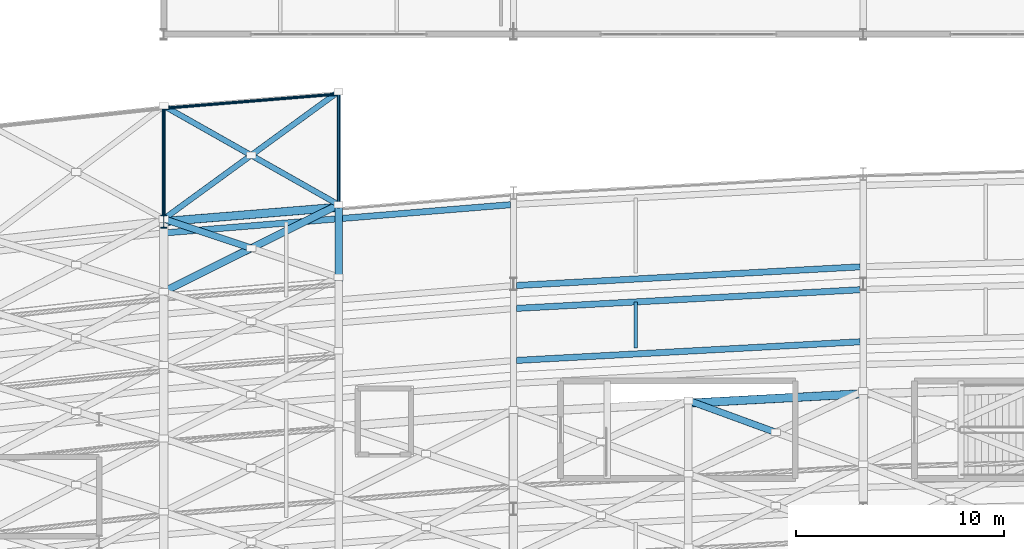
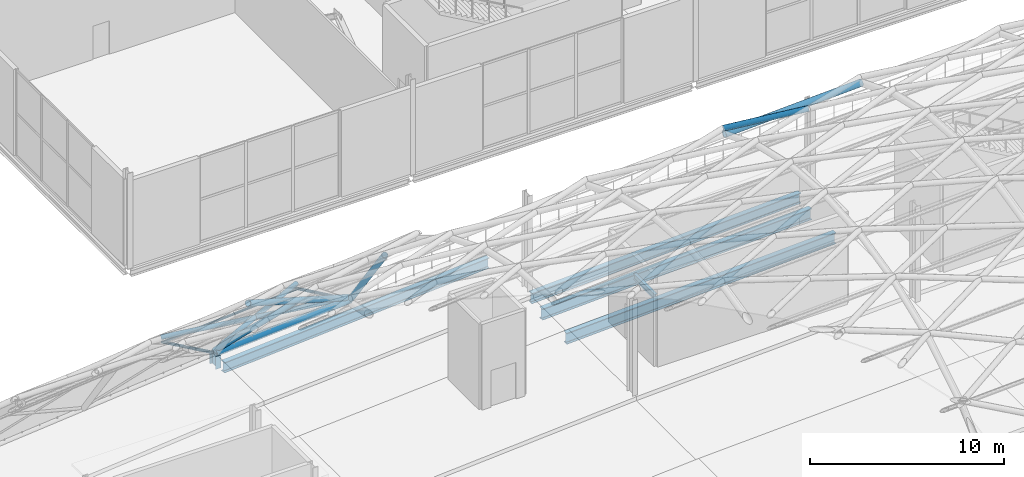
# One storey, part 26 of 100: 13 members, 5 beams.
"""IFC4 building model written with IfcOpenShell, lengths in metres."""

import ifcopenshell
import ifcopenshell.guid

model = None  # the IFC model being written
_history = None  # IfcOwnerHistory: only IFC2X3 demands one
_inside = {}  # id of a spatial element -> (the spatial element, [elements in it])
_under = {}  # id of a project, library or spatial element -> (it, [spatial elements below it])
_declared = {}  # id of a project -> (the project, [libraries it declares])
_typed = {}  # id of a type object -> (the type object, [elements of that type])
_made_of = {}  # id of a material, layer set ... -> (it, [elements and type objects made of it])


def new_model(schema):
    """Start an empty IFC model of exactly this schema.

    Asked for "IFC4X3", IfcOpenShell would pick the latest addendum, in which some entities
    have other attributes; the version numbers below select the first issue.
    IFC2X3 requires an IfcOwnerHistory on every rooted entity: one is made here for all.
    """
    global model, _history
    if schema == "IFC4X3":
        model = ifcopenshell.file(schema_version=(4, 3, 0, 0))
    else:
        model = ifcopenshell.file(schema=schema)
    _inside.clear()
    _under.clear()
    _declared.clear()
    _typed.clear()
    _made_of.clear()
    _history = None
    if model.schema == "IFC2X3":
        org = make("IfcOrganization", Name="unknown")
        user = make(
            "IfcPersonAndOrganization",
            ThePerson=make("IfcPerson", FamilyName="unknown"),
            TheOrganization=org,
        )
        app = make(
            "IfcApplication",
            ApplicationDeveloper=org,
            Version="unknown",
            ApplicationFullName="unknown",
            ApplicationIdentifier="unknown",
        )
        _history = make(
            "IfcOwnerHistory",
            OwningUser=user,
            OwningApplication=app,
            ChangeAction="ADDED",
            CreationDate=0,
        )
    return model


def make(cls, **values):
    """One entity of the class cls with the attributes given. An attribute that is None is left unset."""
    return model.create_entity(
        cls, **{name: value for name, value in values.items() if value is not None}
    )


def rooted(cls, **values):
    """An entity with a GlobalId (a new one), such as an element, a storey or a relation."""
    return make(cls, GlobalId=ifcopenshell.guid.new(), OwnerHistory=_history, **values)


def si_unit(unit_type, name, prefix=None):
    """IfcSIUnit, for example si_unit("LENGTHUNIT", "METRE", prefix="MILLI")."""
    return make("IfcSIUnit", UnitType=unit_type, Prefix=prefix, Name=name)


def assignment(units):
    """IfcUnitAssignment: the units of a project."""
    return None if units is None else make("IfcUnitAssignment", Units=units)


def point(xyz):
    """IfcCartesianPoint."""
    return None if xyz is None else make("IfcCartesianPoint", Coordinates=xyz)


def direction(xyz):
    """IfcDirection."""
    return None if xyz is None else make("IfcDirection", DirectionRatios=xyz)


def frame(location, z_axis=None, x_axis=None):
    """IfcAxis2Placement3D, a coordinate frame: its origin and axes. An axis left out is left unset."""
    return make(
        "IfcAxis2Placement3D",
        Location=point(location),
        Axis=direction(z_axis),
        RefDirection=direction(x_axis),
    )


def frame_2d(location, x_axis=None):
    """IfcAxis2Placement2D, a coordinate frame in the plane: its origin and x axis."""
    return make(
        "IfcAxis2Placement2D", Location=point(location), RefDirection=direction(x_axis)
    )


def origin():
    """The frame at (0, 0, 0) with its axes left unset."""
    return frame((0.0, 0.0, 0.0))


def origin_2d():
    """The frame at (0, 0) in the plane with its x axis left unset."""
    return frame_2d((0.0, 0.0))


def place(relative_to, where):
    """IfcLocalPlacement: puts the frame where relative to a parent placement (None: the world)."""
    return make(
        "IfcLocalPlacement", PlacementRelTo=relative_to, RelativePlacement=where
    )


def context(
    kind, dimensions, precision=None, world=None, true_north=None, identifier=None
):
    """IfcGeometricRepresentationContext, for example the 3D "Model" context."""
    return make(
        "IfcGeometricRepresentationContext",
        ContextIdentifier=identifier,
        ContextType=kind,
        CoordinateSpaceDimension=dimensions,
        Precision=precision,
        WorldCoordinateSystem=world,
        TrueNorth=true_north,
    )


def subcontext(parent, identifier, kind, view, scale=None):
    """IfcGeometricRepresentationSubContext, for example "Body" below "Model"."""
    return make(
        "IfcGeometricRepresentationSubContext",
        ContextIdentifier=identifier,
        ContextType=kind,
        ParentContext=parent,
        TargetScale=scale,
        TargetView=view,
    )


def project(units=None, contexts=None):
    """IfcProject with its units and contexts."""
    return rooted(
        "IfcProject",
        Name="project",
        RepresentationContexts=contexts,
        UnitsInContext=assignment(units),
    )


def spatial(cls, under=None, at=None, **own):
    """A site, building, storey or space (cls), placed at a placement, below another one or the project."""
    s = rooted(cls, ObjectPlacement=at, **own)
    if under is not None:
        _under.setdefault(under.id(), (under, []))[1].append(s)
    return s


def profile(cls, at=None, kind="AREA", **sizes):
    """A parametric profile (cls). Its sizes go by their IFC names, for example OverallWidth=200.0."""
    return make(cls, ProfileType=kind, Position=at, **sizes)


def hollow_circle(**sizes):
    """IfcCircleHollowProfileDef."""
    return profile("IfcCircleHollowProfileDef", **sizes)


def i_section(**sizes):
    """IfcIShapeProfileDef."""
    return profile("IfcIShapeProfileDef", **sizes)


def extrude(swept, where, along, depth):
    """IfcExtrudedAreaSolid: the profile swept, set in the frame where, extruded along a direction by depth."""
    return make(
        "IfcExtrudedAreaSolid",
        SweptArea=swept,
        Position=where,
        ExtrudedDirection=direction(along),
        Depth=depth,
    )


def shape(context_of_items, identifier, shape_type, items):
    """IfcShapeRepresentation: the items that make up one representation, for example the "Body"."""
    return make(
        "IfcShapeRepresentation",
        ContextOfItems=context_of_items,
        RepresentationIdentifier=identifier,
        RepresentationType=shape_type,
        Items=items,
    )


def material(Name=None, Category=None):
    """IfcMaterial."""
    return make("IfcMaterial", Name=Name, Category=Category)


def material_profile(
    of_material, cross_section, Name=None, Category=None, Priority=None
):
    """IfcMaterialProfile: a cross section and its material."""
    return make(
        "IfcMaterialProfile",
        Name=Name,
        Material=of_material,
        Profile=cross_section,
        Priority=Priority,
        Category=Category,
    )


def profile_set(profiles, Name=None, composite=None):
    """IfcMaterialProfileSet."""
    return make(
        "IfcMaterialProfileSet",
        Name=Name,
        MaterialProfiles=profiles,
        CompositeProfile=composite,
    )


def made_of(thing, what):
    """Note that an element or type object is made of a material, layer set ...; save() writes the relation."""
    if what is not None:
        _made_of.setdefault(what.id(), (what, []))[1].append(thing)
    return thing


def type_object(cls, material=None, **own):
    """A type object (cls), such as IfcWallType, which elements share."""
    return made_of(rooted(cls, **own), material)


def element(
    cls,
    number,
    at=None,
    inside=None,
    cuts=None,
    type_object=None,
    material=None,
    context=None,
    identifier="Body",
    shape_type=None,
    held_by="IfcProductDefinitionShape",
    body=None,
    shapes=None,
    **own,
):
    """One element of the class cls, such as IfcWall. Its Tag is "e" and its number.

    at: its placement. inside: the storey or other place that contains it. cuts: it is an
    opening in that element (IfcRelVoidsElement). A single representation is given by context,
    identifier, shape_type and body (its items); several are given by shapes. held_by: the class
    of the entity that holds the representations. save() writes the other relations.
    """
    e = rooted(cls, Tag="e%d" % number, ObjectPlacement=at, **own)
    if body is not None:
        shapes = [shape(context, identifier, shape_type, body)]
    if shapes is not None:
        e.Representation = make(held_by, Representations=shapes)
    if inside is not None:
        _inside.setdefault(inside.id(), (inside, []))[1].append(e)
    if cuts is not None:
        rooted(
            "IfcRelVoidsElement", RelatingBuildingElement=cuts, RelatedOpeningElement=e
        )
    if type_object is not None:
        _typed.setdefault(type_object.id(), (type_object, []))[1].append(e)
    return made_of(e, material)


def aggregate(whole, parts):
    """IfcRelAggregates: a whole, such as a stair, and the parts it consists of."""
    return rooted("IfcRelAggregates", RelatingObject=whole, RelatedObjects=parts)


def save(model, path):
    """Write the relations noted so far, then the file.

    IfcRelAggregates (storeys below a building ...), IfcRelContainedInSpatialStructure (elements
    in a storey), IfcRelDefinesByType, IfcRelAssociatesMaterial and IfcRelDeclares: one each for
    every whole, place, type object, material and project.
    """
    for whole, parts in _under.values():
        aggregate(whole, parts)
    for where, things in _inside.values():
        rooted(
            "IfcRelContainedInSpatialStructure",
            RelatedElements=things,
            RelatingStructure=where,
        )
    for kind, things in _typed.values():
        rooted("IfcRelDefinesByType", RelatedObjects=things, RelatingType=kind)
    for what, things in _made_of.values():
        rooted("IfcRelAssociatesMaterial", RelatedObjects=things, RelatingMaterial=what)
    for by, libraries in _declared.values():
        rooted("IfcRelDeclares", RelatingContext=by, RelatedDefinitions=libraries)
    model.write(path)


model = new_model("IFC4")

# Units and contexts
model_context = context("Model", 3, precision=1e-05, world=origin(), true_north=direction((0.0, 1.0)))
body_context = subcontext(model_context, "Body", "Model", "MODEL_VIEW")
ifc_project = project(units=[si_unit("LENGTHUNIT", "METRE"), si_unit("AREAUNIT", "SQUARE_METRE"), si_unit("VOLUMEUNIT", "CUBIC_METRE"), si_unit("PLANEANGLEUNIT", "RADIAN"), si_unit("MASSUNIT", "GRAM", prefix="KILO")], contexts=[model_context])

# Site, building, storey
site_placement = place(None, origin())
site = spatial("IfcSite", under=ifc_project, at=site_placement, CompositionType="ELEMENT")
building_placement = place(site_placement, origin())
building = spatial("IfcBuilding", under=site, at=building_placement, Name="Kimbaza Rail Terminus", CompositionType="ELEMENT")
storey_placement = place(building_placement, frame((0.0, 0.0, 10.800048828125)))
storey = spatial("IfcBuildingStorey", under=building, at=storey_placement, Name="L02", CompositionType="ELEMENT", Elevation=10.800048828125)

# Beams
ifc_material_1 = material(Name="Steel S355", Category="steel")
ifc_material_profile_1 = material_profile(ifc_material_1, i_section(OverallWidth=0.300048828125, OverallDepth=0.64990234375, WebThickness=0.01611328125, FlangeThickness=0.031005859375, FilletRadius=0.027099609375, at=origin_2d()), Name="HEB 650")
ifc_profile_set_1 = profile_set([ifc_material_profile_1], Name="Steel S355")
beam_type_1 = type_object("IfcBeamType", Name="STR-BM-HEB650", PredefinedType="USERDEFINED", material=ifc_profile_set_1)
beam_1_placement = place(storey_placement, frame((55.344482421875, 93.46728515625, -0.5849609375), z_axis=(0.996690271877, 0.081292693071, 0.0), x_axis=(-0.081292693071, 0.996690271877, 0.0)))
element("IfcBeam", 1, at=beam_1_placement, inside=storey, type_object=beam_type_1, Name="Viaduct Chorded Girder P4 Bay 03", ObjectType="GIRDER", PredefinedType="USERDEFINED", context=body_context, shape_type="SweptSolid", body=[
    extrude(i_section(OverallWidth=0.300048828125, OverallDepth=0.64990234375, WebThickness=0.01611328125, FlangeThickness=0.031005859375, FilletRadius=0.027099609375, at=origin_2d()), origin(), (0.0, 0.0, 1.0), 16.56591796875),
])
beam_2_placement = place(storey_placement, frame((72.144775390625, 90.93359375, -0.5849609375), z_axis=(0.998529923153, 0.054203252368, 0.0), x_axis=(-0.054203252368, 0.998529923153, 0.0)))
element("IfcBeam", 2, at=beam_2_placement, inside=storey, type_object=beam_type_1, Name="Viaduct Chorded Girder P4 Bay 04", ObjectType="GIRDER", PredefinedType="USERDEFINED", context=body_context, shape_type="SweptSolid", body=[
    extrude(i_section(OverallWidth=0.300048828125, OverallDepth=0.64990234375, WebThickness=0.01611328125, FlangeThickness=0.031005859375, FilletRadius=0.027099609375, at=origin_2d()), origin(), (0.0, 0.0, 1.0), 16.534912109375),
])
ifc_material_2 = material(Name="Steel S355", Category="steel")
ifc_material_profile_2 = material_profile(ifc_material_2, i_section(OverallWidth=0.300048828125, OverallDepth=0.699951171875, WebThickness=0.01708984375, FlangeThickness=0.031982421875, FilletRadius=0.027099609375, at=origin_2d()), Name="HEB 700")
ifc_profile_set_2 = profile_set([ifc_material_profile_2], Name="Steel S355")
beam_type_2 = type_object("IfcBeamType", Name="STR-BM-HEB700", PredefinedType="USERDEFINED", material=ifc_profile_set_2)
for number, where, z_axis, x_axis, name in (
    (3, (72.144775390625, 87.333740234375, -0.920166015625), (0.998530722194, 0.054188530475, 0.0), (-0.054188530475, 0.998530722194, 0.0), "Viaduct Chorded Girder TR56 Bay 04"),
    (4, (72.144775390625, 89.833740234375, -0.920166015625), (0.998530722194, 0.054188530475, 0.0), (-0.054188530475, 0.998530722194, 0.0), "Viaduct Chorded Girder TR56 Bay 04"),
):
    element("IfcBeam", number, at=place(storey_placement, frame(where, z_axis=z_axis, x_axis=x_axis)), inside=storey, type_object=beam_type_2, Name=name, ObjectType="GIRDER", PredefinedType="USERDEFINED", context=body_context, shape_type="SweptSolid", body=[
        extrude(i_section(OverallWidth=0.300048828125, OverallDepth=0.699951171875, WebThickness=0.01708984375, FlangeThickness=0.031982421875, FilletRadius=0.027099609375, at=origin_2d()), origin(), (0.0, 0.0, 1.0), 16.534912109375),
    ])
ifc_material_3 = material(Name="Steel S355", Category="steel")
ifc_material_profile_3 = material_profile(ifc_material_3, i_section(OverallWidth=0.169921875, OverallDepth=0.360107421875, WebThickness=0.008056640625, FlangeThickness=0.0126953125, FilletRadius=0.01806640625, at=origin_2d()), Name="IPE 360")
ifc_profile_set_3 = profile_set([ifc_material_profile_3], Name="Steel S355")
beam_type_3 = type_object("IfcBeamType", Name="STR-BM-IPE360", PredefinedType="JOIST", material=ifc_profile_set_3)
beam_3_placement = place(storey_placement, frame((77.8798828125, 87.9267578125, -0.75), z_axis=(0.0, 1.0, 0.0), x_axis=(-1.0, 0.0, 0.0)))
element("IfcBeam", 5, at=beam_3_placement, inside=storey, type_object=beam_type_3, Name="Viaduct Diaphragm TR56 Bay 04", PredefinedType="JOIST", context=body_context, shape_type="SweptSolid", body=[
    extrude(i_section(OverallWidth=0.169921875, OverallDepth=0.360107421875, WebThickness=0.008056640625, FlangeThickness=0.0126953125, FilletRadius=0.01806640625, at=origin_2d()), origin(), (0.0, 0.0, 1.0), 2.2099609375),
])

# Members
ifc_material_4 = material(Name="White painted steel S355", Category="steel")
ifc_material_profile_4 = material_profile(ifc_material_4, hollow_circle(Radius=0.06982421875, WallThickness=0.00634765625, at=origin_2d()), Name="CHS 139.7x6.3")
ifc_profile_set_4 = profile_set([ifc_material_profile_4], Name="White painted steel S355")
member_type_1 = type_object("IfcMemberType", Name="STR-MB-CHS139", PredefinedType="COLLAR", material=ifc_profile_set_4)
member_1_placement = place(storey_placement, frame((55.199951171875, 99.447509765625, -2.62744140625), z_axis=(0.996688689454, 0.081312092054, 0.0), x_axis=(-0.081312092054, 0.996688689454, 0.0)))
element("IfcMember", 6, at=member_1_placement, inside=storey, type_object=member_type_1, Name="Vault lattice longitudinal purlin VR-04-VA14", PredefinedType="COLLAR", context=body_context, shape_type="SweptSolid", body=[
    extrude(hollow_circle(Radius=0.06982421875, WallThickness=0.00634765625, at=origin_2d()), origin(), (0.0, 0.0, 1.0), 8.427978515625),
])
ifc_material_5 = material(Name="White painted steel S355", Category="steel")
ifc_material_profile_5 = material_profile(ifc_material_5, hollow_circle(Radius=0.084228515625, WallThickness=0.00634765625, at=origin_2d()), Name="CHS 168.3x6.3")
ifc_profile_set_5 = profile_set([ifc_material_profile_5], Name="White painted steel S355")
member_type_2 = type_object("IfcMemberType", Name="STR-MB-CHS168", PredefinedType="RAFTER", material=ifc_profile_set_5)
for number, where, z_axis, x_axis, name in (
    (7, (55.199951171875, 94.00537109375, 0.0), (0.0, 0.901963905621, -0.431811432174), (-1.0, 0.0, 0.0), "Vault lattice arch chord VR-04 seg 14"),
    (8, (63.60009765625, 94.690673828125, 0.0), (0.0, 0.901963905621, -0.431811432174), (-1.0, 0.0, 0.0), "Vault lattice arch chord VR-05 seg 14"),
):
    element("IfcMember", number, at=place(storey_placement, frame(where, z_axis=z_axis, x_axis=x_axis)), inside=storey, type_object=member_type_2, Name=name, PredefinedType="RAFTER", context=body_context, shape_type="SweptSolid", body=[
        extrude(hollow_circle(Radius=0.084228515625, WallThickness=0.00634765625, at=origin_2d()), origin(), (0.0, 0.0, 1.0), 6.04296875),
    ])
ifc_material_6 = material(Name="White painted steel S355", Category="steel")
ifc_material_profile_6 = material_profile(ifc_material_6, hollow_circle(Radius=0.136474609375, WallThickness=0.010009765625, at=origin_2d()), Name="CHS 273x10")
ifc_profile_set_6 = profile_set([ifc_material_profile_6], Name="White painted steel S355")
member_type_3 = type_object("IfcMemberType", Name="STR-MB-CHS273", PredefinedType="STRUT", material=ifc_profile_set_6)
member_2_placement = place(storey_placement, frame((55.199951171875, 94.1298828125, 0.064208984375), z_axis=(0.786959124757, 0.573219681596, -0.228286076211), x_axis=(-0.588766594672, 0.808303097234, 0.0)))
element("IfcMember", 9, at=member_2_placement, inside=storey, type_object=member_type_3, Name="Vault lattice diagonal A VR-04-VA13", PredefinedType="STRUT", context=body_context, shape_type="SweptSolid", body=[
    extrude(hollow_circle(Radius=0.136474609375, WallThickness=0.010009765625, at=origin_2d()), origin(), (0.0, 0.0, 1.0), 10.674072265625),
])
member_3_placement = place(storey_placement, frame((63.60009765625, 94.81494140625, 0.064208984375), z_axis=(-0.844040117364, 0.477115213983, -0.244861905706), x_axis=(-0.492095605728, -0.87054116205, 0.0)))
element("IfcMember", 10, at=member_3_placement, inside=storey, type_object=member_type_3, Name="Vault lattice diagonal B1 VR-04-VA13", PredefinedType="STRUT", context=body_context, shape_type="SweptSolid", body=[
    extrude(hollow_circle(Radius=0.136474609375, WallThickness=0.010009765625, at=origin_2d()), origin(), (0.0, 0.0, 1.0), 4.976318359375),
])
member_4_placement = place(storey_placement, frame((59.39990234375, 97.189208984375, -1.154296875), z_axis=(-0.844055904837, 0.477102808733, -0.244831655242), x_axis=(-0.492078933835, -0.870550586052, 0.0)))
element("IfcMember", 11, at=member_4_placement, inside=storey, type_object=member_type_3, Name="Vault lattice diagonal B2 VR-04-VA13", PredefinedType="STRUT", context=body_context, shape_type="SweptSolid", body=[
    extrude(hollow_circle(Radius=0.136474609375, WallThickness=0.010009765625, at=origin_2d()), origin(), (0.0, 0.0, 1.0), 4.975830078125),
])
ifc_material_7 = material(Name="White painted steel S355", Category="steel")
ifc_material_profile_7 = material_profile(ifc_material_7, hollow_circle(Radius=0.161865234375, WallThickness=0.010009765625, at=origin_2d()), Name="CHS 323.9x10")
ifc_profile_set_7 = profile_set([ifc_material_profile_7], Name="White painted steel S355")
member_type_4 = type_object("IfcMemberType", Name="STR-MB-CHS323", PredefinedType="STRUT", material=ifc_profile_set_7)
member_5_placement = place(storey_placement, frame((59.39990234375, 92.726806640625, 2.615966796875), z_axis=(-0.821788975947, 0.274534746542, -0.499293052177), x_axis=(-0.316856226452, -0.948473579895, 0.0)))
element("IfcMember", 12, at=member_5_placement, inside=storey, type_object=member_type_4, Name="Vault lattice diagonal B2 VR-04-VA12", PredefinedType="STRUT", context=body_context, shape_type="SweptSolid", body=[
    extrude(hollow_circle(Radius=0.161865234375, WallThickness=0.010009765625, at=origin_2d()), origin(), (0.0, 0.0, 1.0), 5.11083984375),
])
member_6_placement = place(storey_placement, frame((84.60009765625, 83.87646484375, 11.20556640625), z_axis=(-0.927746842999, 0.33908812769, -0.155900727918), x_axis=(-0.343285573624, -0.939231076435, 0.0)))
element("IfcMember", 13, at=member_6_placement, inside=storey, type_object=member_type_4, Name="Vault lattice diagonal B2 VR-07-VA09", PredefinedType="STRUT", context=body_context, shape_type="SweptSolid", body=[
    extrude(hollow_circle(Radius=0.161865234375, WallThickness=0.010009765625, at=origin_2d()), origin(), (0.0, 0.0, 1.0), 4.52734375),
])
ifc_material_8 = material(Name="White painted steel S355", Category="steel")
ifc_material_profile_8 = material_profile(ifc_material_8, hollow_circle(Radius=0.177734375, WallThickness=0.012451171875, at=origin_2d()), Name="CHS 355.6x12.5")
ifc_profile_set_8 = profile_set([ifc_material_profile_8], Name="White painted steel S355")
member_type_5 = type_object("IfcMemberType", Name="STR-MB-CHS355", PredefinedType="CHORD", material=ifc_profile_set_8)
member_7_placement = place(storey_placement, frame((63.60009765625, 91.101806640625, 4.966064453125), z_axis=(0.0, 0.585733481953, -0.810503724926), x_axis=(-1.0, 0.0, 0.0)))
element("IfcMember", 14, at=member_7_placement, inside=storey, type_object=member_type_5, Name="Vault lattice arch chord VR-05 seg 13", PredefinedType="CHORD", context=body_context, shape_type="SweptSolid", body=[
    extrude(hollow_circle(Radius=0.177734375, WallThickness=0.012451171875, at=origin_2d()), origin(), (0.0, 0.0, 1.0), 6.127197265625),
])
member_8_placement = place(storey_placement, frame((55.199951171875, 90.638671875, 5.167724609375), z_axis=(0.786574843669, 0.391058484489, -0.477884166945), x_axis=(-0.445182498983, 0.895439859845, 0.0)))
element("IfcMember", 15, at=member_8_placement, inside=storey, type_object=member_type_5, Name="Vault lattice diagonal A VR-04-VA12", PredefinedType="CHORD", context=body_context, shape_type="SweptSolid", body=[
    extrude(hollow_circle(Radius=0.177734375, WallThickness=0.012451171875, at=origin_2d()), origin(), (0.0, 0.0, 1.0), 10.679443359375),
])
ifc_material_9 = material(Name="White painted steel S355", Category="steel")
ifc_material_profile_9 = material_profile(ifc_material_9, hollow_circle(Radius=0.203125, WallThickness=0.01416015625, at=origin_2d()), Name="CHS 406.4x14.2")
ifc_profile_set_9 = profile_set([ifc_material_profile_9], Name="White painted steel S355")
member_type_6 = type_object("IfcMemberType", Name="STR-MB-CHS406", PredefinedType="CHORD", material=ifc_profile_set_9)
member_9_placement = place(storey_placement, frame((55.199951171875, 94.00537109375, 0.0), z_axis=(0.996688689454, 0.081312092054, 0.0), x_axis=(-0.081312092054, 0.996688689454, 0.0)))
element("IfcMember", 16, at=member_9_placement, inside=storey, type_object=member_type_6, Name="Vault lattice springing ring chord VR-04", PredefinedType="CHORD", context=body_context, shape_type="SweptSolid", body=[
    extrude(hollow_circle(Radius=0.203125, WallThickness=0.01416015625, at=origin_2d()), origin(), (0.0, 0.0, 1.0), 8.427978515625),
])
member_10_placement = place(storey_placement, frame((80.39990234375, 85.2783203125, 10.23095703125), z_axis=(0.998529478591, 0.054211441451, 0.0), x_axis=(-0.054211441451, 0.998529478591, 0.0)))
element("IfcMember", 17, at=member_10_placement, inside=storey, type_object=member_type_6, Name="Vault lattice springing ring chord VR-07", PredefinedType="CHORD", context=body_context, shape_type="SweptSolid", body=[
    extrude(hollow_circle(Radius=0.203125, WallThickness=0.01416015625, at=origin_2d()), origin(), (0.0, 0.0, 1.0), 8.41259765625),
])
ifc_material_10 = material(Name="Steel S355", Category="steel")
ifc_material_profile_10 = material_profile(ifc_material_10, i_section(OverallWidth=0.304931640625, OverallDepth=0.6201171875, WebThickness=0.02099609375, FlangeThickness=0.0400390625, FilletRadius=0.027099609375, at=origin_2d()), Name="HEM 600")
ifc_profile_set_10 = profile_set([ifc_material_profile_10], Name="Steel S355")
member_type_7 = type_object("IfcMemberType", Name="STR-MB-HEM600", PredefinedType="POST", material=ifc_profile_set_10)
member_11_placement = place(storey_placement, frame((55.199951171875, 94.00537109375, -0.800048828125), z_axis=(0.0, 0.0, 1.0), x_axis=(1.0, 0.0, 0.0)))
element("IfcMember", 18, at=member_11_placement, inside=storey, type_object=member_type_7, Name="Vault Springing Shoe Pedestal N VP-03", PredefinedType="POST", context=body_context, shape_type="SweptSolid", body=[
    extrude(i_section(OverallWidth=0.304931640625, OverallDepth=0.6201171875, WebThickness=0.02099609375, FlangeThickness=0.0400390625, FilletRadius=0.027099609375, at=origin_2d()), origin(), (0.0, 0.0, 1.0), 0.800048828125),
])

save(model, "model.ifc")
